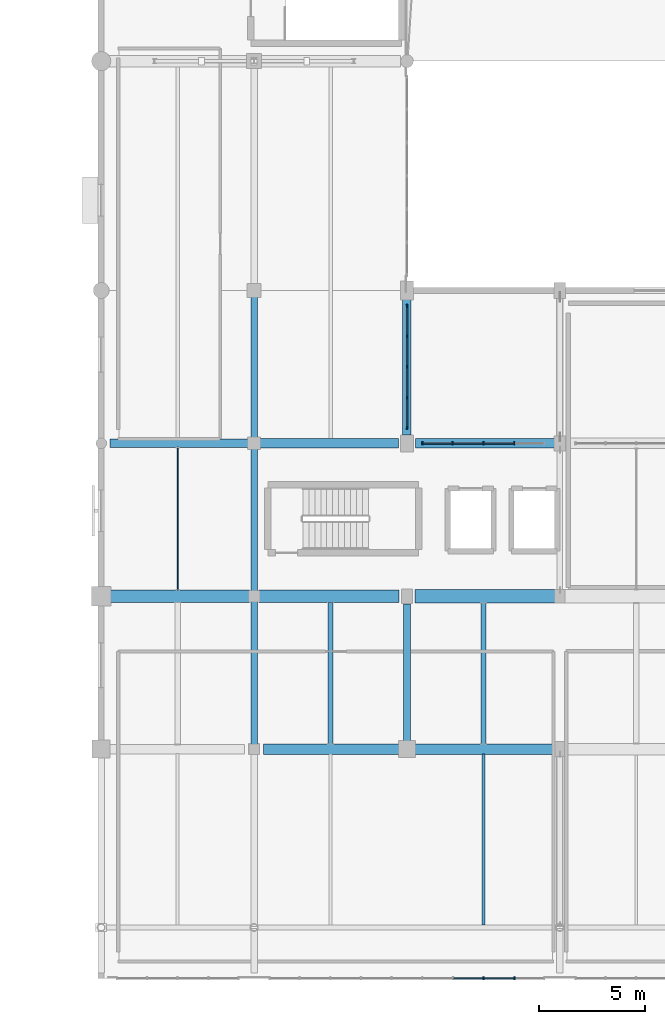
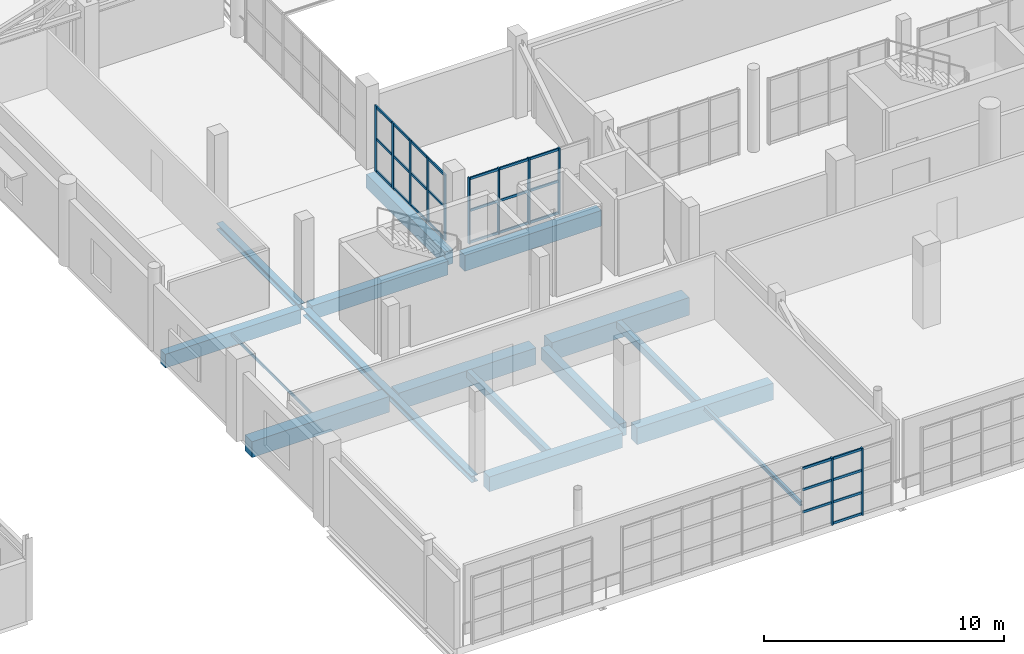
# One storey, part 24 of 90: 39 members, 16 beams, 3 elements without a shape of their own.
"""IFC4 building model written with IfcOpenShell, lengths in metres."""

import ifcopenshell
import ifcopenshell.guid

model = None  # the IFC model being written
_history = None  # IfcOwnerHistory: only IFC2X3 demands one
_inside = {}  # id of a spatial element -> (the spatial element, [elements in it])
_under = {}  # id of a project, library or spatial element -> (it, [spatial elements below it])
_declared = {}  # id of a project -> (the project, [libraries it declares])
_typed = {}  # id of a type object -> (the type object, [elements of that type])
_made_of = {}  # id of a material, layer set ... -> (it, [elements and type objects made of it])


def new_model(schema):
    """Start an empty IFC model of exactly this schema.

    Asked for "IFC4X3", IfcOpenShell would pick the latest addendum, in which some entities
    have other attributes; the version numbers below select the first issue.
    IFC2X3 requires an IfcOwnerHistory on every rooted entity: one is made here for all.
    """
    global model, _history
    if schema == "IFC4X3":
        model = ifcopenshell.file(schema_version=(4, 3, 0, 0))
    else:
        model = ifcopenshell.file(schema=schema)
    _inside.clear()
    _under.clear()
    _declared.clear()
    _typed.clear()
    _made_of.clear()
    _history = None
    if model.schema == "IFC2X3":
        org = make("IfcOrganization", Name="unknown")
        user = make(
            "IfcPersonAndOrganization",
            ThePerson=make("IfcPerson", FamilyName="unknown"),
            TheOrganization=org,
        )
        app = make(
            "IfcApplication",
            ApplicationDeveloper=org,
            Version="unknown",
            ApplicationFullName="unknown",
            ApplicationIdentifier="unknown",
        )
        _history = make(
            "IfcOwnerHistory",
            OwningUser=user,
            OwningApplication=app,
            ChangeAction="ADDED",
            CreationDate=0,
        )
    return model


def make(cls, **values):
    """One entity of the class cls with the attributes given. An attribute that is None is left unset."""
    return model.create_entity(
        cls, **{name: value for name, value in values.items() if value is not None}
    )


def rooted(cls, **values):
    """An entity with a GlobalId (a new one), such as an element, a storey or a relation."""
    return make(cls, GlobalId=ifcopenshell.guid.new(), OwnerHistory=_history, **values)


def si_unit(unit_type, name, prefix=None):
    """IfcSIUnit, for example si_unit("LENGTHUNIT", "METRE", prefix="MILLI")."""
    return make("IfcSIUnit", UnitType=unit_type, Prefix=prefix, Name=name)


def assignment(units):
    """IfcUnitAssignment: the units of a project."""
    return None if units is None else make("IfcUnitAssignment", Units=units)


def point(xyz):
    """IfcCartesianPoint."""
    return None if xyz is None else make("IfcCartesianPoint", Coordinates=xyz)


def direction(xyz):
    """IfcDirection."""
    return None if xyz is None else make("IfcDirection", DirectionRatios=xyz)


def frame(location, z_axis=None, x_axis=None):
    """IfcAxis2Placement3D, a coordinate frame: its origin and axes. An axis left out is left unset."""
    return make(
        "IfcAxis2Placement3D",
        Location=point(location),
        Axis=direction(z_axis),
        RefDirection=direction(x_axis),
    )


def frame_2d(location, x_axis=None):
    """IfcAxis2Placement2D, a coordinate frame in the plane: its origin and x axis."""
    return make(
        "IfcAxis2Placement2D", Location=point(location), RefDirection=direction(x_axis)
    )


def origin():
    """The frame at (0, 0, 0) with its axes left unset."""
    return frame((0.0, 0.0, 0.0))


def origin_2d():
    """The frame at (0, 0) in the plane with its x axis left unset."""
    return frame_2d((0.0, 0.0))


def place(relative_to, where):
    """IfcLocalPlacement: puts the frame where relative to a parent placement (None: the world)."""
    return make(
        "IfcLocalPlacement", PlacementRelTo=relative_to, RelativePlacement=where
    )


def context(
    kind, dimensions, precision=None, world=None, true_north=None, identifier=None
):
    """IfcGeometricRepresentationContext, for example the 3D "Model" context."""
    return make(
        "IfcGeometricRepresentationContext",
        ContextIdentifier=identifier,
        ContextType=kind,
        CoordinateSpaceDimension=dimensions,
        Precision=precision,
        WorldCoordinateSystem=world,
        TrueNorth=true_north,
    )


def subcontext(parent, identifier, kind, view, scale=None):
    """IfcGeometricRepresentationSubContext, for example "Body" below "Model"."""
    return make(
        "IfcGeometricRepresentationSubContext",
        ContextIdentifier=identifier,
        ContextType=kind,
        ParentContext=parent,
        TargetScale=scale,
        TargetView=view,
    )


def project(units=None, contexts=None):
    """IfcProject with its units and contexts."""
    return rooted(
        "IfcProject",
        Name="project",
        RepresentationContexts=contexts,
        UnitsInContext=assignment(units),
    )


def spatial(cls, under=None, at=None, **own):
    """A site, building, storey or space (cls), placed at a placement, below another one or the project."""
    s = rooted(cls, ObjectPlacement=at, **own)
    if under is not None:
        _under.setdefault(under.id(), (under, []))[1].append(s)
    return s


def profile(cls, at=None, kind="AREA", **sizes):
    """A parametric profile (cls). Its sizes go by their IFC names, for example OverallWidth=200.0."""
    return make(cls, ProfileType=kind, Position=at, **sizes)


def rectangle(**sizes):
    """IfcRectangleProfileDef."""
    return profile("IfcRectangleProfileDef", **sizes)


def hollow_rectangle(**sizes):
    """IfcRectangleHollowProfileDef."""
    return profile("IfcRectangleHollowProfileDef", **sizes)


def i_section(**sizes):
    """IfcIShapeProfileDef."""
    return profile("IfcIShapeProfileDef", **sizes)


def extrude(swept, where, along, depth):
    """IfcExtrudedAreaSolid: the profile swept, set in the frame where, extruded along a direction by depth."""
    return make(
        "IfcExtrudedAreaSolid",
        SweptArea=swept,
        Position=where,
        ExtrudedDirection=direction(along),
        Depth=depth,
    )


def shape(context_of_items, identifier, shape_type, items):
    """IfcShapeRepresentation: the items that make up one representation, for example the "Body"."""
    return make(
        "IfcShapeRepresentation",
        ContextOfItems=context_of_items,
        RepresentationIdentifier=identifier,
        RepresentationType=shape_type,
        Items=items,
    )


def material(Name=None, Category=None):
    """IfcMaterial."""
    return make("IfcMaterial", Name=Name, Category=Category)


def material_profile(
    of_material, cross_section, Name=None, Category=None, Priority=None
):
    """IfcMaterialProfile: a cross section and its material."""
    return make(
        "IfcMaterialProfile",
        Name=Name,
        Material=of_material,
        Profile=cross_section,
        Priority=Priority,
        Category=Category,
    )


def profile_set(profiles, Name=None, composite=None):
    """IfcMaterialProfileSet."""
    return make(
        "IfcMaterialProfileSet",
        Name=Name,
        MaterialProfiles=profiles,
        CompositeProfile=composite,
    )


def made_of(thing, what):
    """Note that an element or type object is made of a material, layer set ...; save() writes the relation."""
    if what is not None:
        _made_of.setdefault(what.id(), (what, []))[1].append(thing)
    return thing


def type_object(cls, material=None, **own):
    """A type object (cls), such as IfcWallType, which elements share."""
    return made_of(rooted(cls, **own), material)


def element(
    cls,
    number,
    at=None,
    inside=None,
    cuts=None,
    type_object=None,
    material=None,
    context=None,
    identifier="Body",
    shape_type=None,
    held_by="IfcProductDefinitionShape",
    body=None,
    shapes=None,
    **own,
):
    """One element of the class cls, such as IfcWall. Its Tag is "e" and its number.

    at: its placement. inside: the storey or other place that contains it. cuts: it is an
    opening in that element (IfcRelVoidsElement). A single representation is given by context,
    identifier, shape_type and body (its items); several are given by shapes. held_by: the class
    of the entity that holds the representations. save() writes the other relations.
    """
    e = rooted(cls, Tag="e%d" % number, ObjectPlacement=at, **own)
    if body is not None:
        shapes = [shape(context, identifier, shape_type, body)]
    if shapes is not None:
        e.Representation = make(held_by, Representations=shapes)
    if inside is not None:
        _inside.setdefault(inside.id(), (inside, []))[1].append(e)
    if cuts is not None:
        rooted(
            "IfcRelVoidsElement", RelatingBuildingElement=cuts, RelatedOpeningElement=e
        )
    if type_object is not None:
        _typed.setdefault(type_object.id(), (type_object, []))[1].append(e)
    return made_of(e, material)


def aggregate(whole, parts):
    """IfcRelAggregates: a whole, such as a stair, and the parts it consists of."""
    return rooted("IfcRelAggregates", RelatingObject=whole, RelatedObjects=parts)


def save(model, path):
    """Write the relations noted so far, then the file.

    IfcRelAggregates (storeys below a building ...), IfcRelContainedInSpatialStructure (elements
    in a storey), IfcRelDefinesByType, IfcRelAssociatesMaterial and IfcRelDeclares: one each for
    every whole, place, type object, material and project.
    """
    for whole, parts in _under.values():
        aggregate(whole, parts)
    for where, things in _inside.values():
        rooted(
            "IfcRelContainedInSpatialStructure",
            RelatedElements=things,
            RelatingStructure=where,
        )
    for kind, things in _typed.values():
        rooted("IfcRelDefinesByType", RelatedObjects=things, RelatingType=kind)
    for what, things in _made_of.values():
        rooted("IfcRelAssociatesMaterial", RelatedObjects=things, RelatingMaterial=what)
    for by, libraries in _declared.values():
        rooted("IfcRelDeclares", RelatingContext=by, RelatedDefinitions=libraries)
    model.write(path)


model = new_model("IFC4")

# Units and contexts
model_context = context("Model", 3, precision=1e-05, world=origin(), true_north=direction((0.0, 1.0)))
body_context = subcontext(model_context, "Body", "Model", "MODEL_VIEW")
ifc_project = project(units=[si_unit("LENGTHUNIT", "METRE"), si_unit("AREAUNIT", "SQUARE_METRE"), si_unit("VOLUMEUNIT", "CUBIC_METRE"), si_unit("PLANEANGLEUNIT", "RADIAN"), si_unit("MASSUNIT", "GRAM", prefix="KILO")], contexts=[model_context])

# Site, building, storey
site_placement = place(None, origin())
site = spatial("IfcSite", under=ifc_project, at=site_placement, CompositionType="ELEMENT")
building_placement = place(site_placement, origin())
building = spatial("IfcBuilding", under=site, at=building_placement, Name="Solanera Park Tramway Depot", CompositionType="ELEMENT")
storey_placement = place(building_placement, frame((0.0, 0.0, 9.0)))
storey = spatial("IfcBuildingStorey", under=building, at=storey_placement, Name="L02", CompositionType="ELEMENT", Elevation=9.0)

# Curtain wall, members
ifc_material_1 = material(Name="Bronze-anodised thermally broken aluminium curtain wall", Category="aluminium")
curtain_wall_type_1 = type_object("IfcCurtainWallType", Name="Courtyard Cloister Unitised Curtain Wall", PredefinedType="NOTDEFINED", material=ifc_material_1)
curtain_wall_1_placement = place(storey_placement, origin())
curtain_wall_1 = element("IfcCurtainWall", 1, at=curtain_wall_1_placement, inside=storey, type_object=curtain_wall_type_1, Name="L02 Courtyard Cloister Unitised Curtain Wall #104", PredefinedType="NOTDEFINED")
ifc_material_2 = material(Name="Bronze-anodised structural aluminium 6063-T6", Category="aluminium")
ifc_material_profile_1 = material_profile(ifc_material_2, rectangle(XDim=0.06494140625, YDim=0.14990234375, at=origin_2d()), Name="Curtain Wall Mullion 65x150")
ifc_profile_set_1 = profile_set([ifc_material_profile_1], Name="Bronze-anodised structural aluminium 6063-T6")
member_type_1 = type_object("IfcMemberType", Name="Curtain Wall Mullion 65x150", PredefinedType="MULLION", material=ifc_profile_set_1)
member_1_placement = place(storey_placement, frame((123.132568359375, 25.199951171875, 0.0), z_axis=(0.0, 0.0, 1.0), x_axis=(1.0, 0.0, 0.0)))
member_1 = element("IfcMember", 2, at=member_1_placement, type_object=member_type_1, Name="CW-L02-104 Mullion 1", PredefinedType="MULLION", context=body_context, shape_type="SweptSolid", body=[
    extrude(rectangle(XDim=0.06494140625, YDim=0.14990234375, at=origin_2d()), origin(), (0.0, 0.0, 1.0), 3.35009765625),
])
member_2_placement = place(storey_placement, frame((124.550048828125, 25.199951171875, 0.0), z_axis=(0.0, 0.0, 1.0), x_axis=(1.0, 0.0, 0.0)))
member_2 = element("IfcMember", 3, at=member_2_placement, type_object=member_type_1, Name="CW-L02-104 Mullion 2", PredefinedType="MULLION", context=body_context, shape_type="SweptSolid", body=[
    extrude(rectangle(XDim=0.06494140625, YDim=0.14990234375, at=origin_2d()), origin(), (0.0, 0.0, 1.0), 3.35009765625),
])
member_3_placement = place(storey_placement, frame((126.0, 25.199951171875, 0.0), z_axis=(0.0, 0.0, 1.0), x_axis=(1.0, 0.0, 0.0)))
member_3 = element("IfcMember", 4, at=member_3_placement, type_object=member_type_1, Name="CW-L02-104 Mullion 3", PredefinedType="MULLION", context=body_context, shape_type="SweptSolid", body=[
    extrude(rectangle(XDim=0.06494140625, YDim=0.14990234375, at=origin_2d()), origin(), (0.0, 0.0, 1.0), 3.35009765625),
])
member_4_placement = place(storey_placement, frame((127.449951171875, 25.199951171875, 0.0), z_axis=(0.0, 0.0, 1.0), x_axis=(1.0, 0.0, 0.0)))
member_4 = element("IfcMember", 5, at=member_4_placement, type_object=member_type_1, Name="CW-L02-104 Mullion 4", PredefinedType="MULLION", context=body_context, shape_type="SweptSolid", body=[
    extrude(rectangle(XDim=0.06494140625, YDim=0.14990234375, at=origin_2d()), origin(), (0.0, 0.0, 1.0), 3.35009765625),
])

curtain_wall_2_placement = place(storey_placement, origin())
curtain_wall_2 = element("IfcCurtainWall", 6, at=curtain_wall_2_placement, inside=storey, type_object=curtain_wall_type_1, Name="L02 Courtyard Cloister Unitised Curtain Wall #110", PredefinedType="NOTDEFINED")
member_5_placement = place(storey_placement, frame((122.39990234375, 25.9326171875, 0.0), z_axis=(0.0, 0.0, 1.0), x_axis=(1.0, 0.0, 0.0)))
member_5 = element("IfcMember", 7, at=member_5_placement, type_object=member_type_1, Name="CW-L02-110 Mullion 1", PredefinedType="MULLION", context=body_context, shape_type="SweptSolid", body=[
    extrude(rectangle(XDim=0.06494140625, YDim=0.14990234375, at=origin_2d()), origin(), (0.0, 0.0, 1.0), 3.35009765625),
])
member_6_placement = place(storey_placement, frame((122.39990234375, 27.35009765625, 0.0), z_axis=(0.0, 0.0, 1.0), x_axis=(1.0, 0.0, 0.0)))
member_6 = element("IfcMember", 8, at=member_6_placement, type_object=member_type_1, Name="CW-L02-110 Mullion 2", PredefinedType="MULLION", context=body_context, shape_type="SweptSolid", body=[
    extrude(rectangle(XDim=0.06494140625, YDim=0.14990234375, at=origin_2d()), origin(), (0.0, 0.0, 1.0), 3.35009765625),
])
member_7_placement = place(storey_placement, frame((122.39990234375, 28.800048828125, 0.0), z_axis=(0.0, 0.0, 1.0), x_axis=(1.0, 0.0, 0.0)))
member_7 = element("IfcMember", 9, at=member_7_placement, type_object=member_type_1, Name="CW-L02-110 Mullion 3", PredefinedType="MULLION", context=body_context, shape_type="SweptSolid", body=[
    extrude(rectangle(XDim=0.06494140625, YDim=0.14990234375, at=origin_2d()), origin(), (0.0, 0.0, 1.0), 3.35009765625),
])
member_8_placement = place(storey_placement, frame((122.39990234375, 30.25, 0.0), z_axis=(0.0, 0.0, 1.0), x_axis=(1.0, 0.0, 0.0)))
member_8 = element("IfcMember", 10, at=member_8_placement, type_object=member_type_1, Name="CW-L02-110 Mullion 4", PredefinedType="MULLION", context=body_context, shape_type="SweptSolid", body=[
    extrude(rectangle(XDim=0.06494140625, YDim=0.14990234375, at=origin_2d()), origin(), (0.0, 0.0, 1.0), 3.35009765625),
])
member_9_placement = place(storey_placement, frame((122.39990234375, 31.66748046875, 0.0), z_axis=(0.0, 0.0, 1.0), x_axis=(1.0, 0.0, 0.0)))
member_9 = element("IfcMember", 11, at=member_9_placement, type_object=member_type_1, Name="CW-L02-110 Mullion 5", PredefinedType="MULLION", context=body_context, shape_type="SweptSolid", body=[
    extrude(rectangle(XDim=0.06494140625, YDim=0.14990234375, at=origin_2d()), origin(), (0.0, 0.0, 1.0), 3.35009765625),
])

ifc_material_3 = material(Name="Bronze-anodised thermally broken aluminium curtain wall", Category="aluminium")
curtain_wall_type_2 = type_object("IfcCurtainWallType", Name="Cantilevered OCC Inclined Glazing Wall", PredefinedType="NOTDEFINED", material=ifc_material_3)
curtain_wall_3_placement = place(storey_placement, origin())
curtain_wall_3 = element("IfcCurtainWall", 12, at=curtain_wall_3_placement, inside=storey, type_object=curtain_wall_type_2, Name="L02 Cantilevered OCC Inclined Glazing Wall #115", PredefinedType="NOTDEFINED")
member_10_placement = place(storey_placement, frame((126.010986328125, 0.0, 0.0), z_axis=(0.0, 0.0, 1.0), x_axis=(1.0, 0.0, 0.0)))
member_10 = element("IfcMember", 13, at=member_10_placement, type_object=member_type_1, Name="CW-L02-115 Mullion 8", PredefinedType="MULLION", context=body_context, shape_type="SweptSolid", body=[
    extrude(rectangle(XDim=0.06494140625, YDim=0.14990234375, at=origin_2d()), origin(), (0.0, 0.0, 1.0), 3.39990234375),
])
member_11_placement = place(storey_placement, frame((127.45556640625, 0.0, 0.0), z_axis=(0.0, 0.0, 1.0), x_axis=(1.0, 0.0, 0.0)))
member_11 = element("IfcMember", 14, at=member_11_placement, type_object=member_type_1, Name="CW-L02-115 Mullion 9", PredefinedType="MULLION", context=body_context, shape_type="SweptSolid", body=[
    extrude(rectangle(XDim=0.06494140625, YDim=0.14990234375, at=origin_2d()), origin(), (0.0, 0.0, 1.0), 3.39990234375),
])

# Member
ifc_material_4 = material(Name="Bronze-anodised structural aluminium 6063-T6", Category="aluminium")
ifc_material_profile_2 = material_profile(ifc_material_4, rectangle(XDim=0.06494140625, YDim=0.1201171875, at=origin_2d()), Name="Curtain Wall Transom 65x120")
ifc_profile_set_2 = profile_set([ifc_material_profile_2], Name="Bronze-anodised structural aluminium 6063-T6")
member_type_2 = type_object("IfcMemberType", Name="Curtain Wall Transom 65x120", PredefinedType="USERDEFINED", material=ifc_profile_set_2)
member_12_placement = place(storey_placement, frame((123.160400390625, 25.199951171875, 0.06005859375), z_axis=(1.0, 0.0, 0.0), x_axis=(0.0, 1.0, 0.0)))
member_12 = element("IfcMember", 15, at=member_12_placement, type_object=member_type_2, Name="CW-L02-104 Transom R1.C1", ObjectType="TRANSOM", PredefinedType="USERDEFINED", context=body_context, shape_type="SweptSolid", body=[
    extrude(rectangle(XDim=0.06494140625, YDim=0.1201171875, at=origin_2d()), origin(), (0.0, 0.0, 1.0), 1.361572265625),
])

member_13_placement = place(storey_placement, frame((124.577880859375, 25.199951171875, 0.06005859375), z_axis=(1.0, 0.0, 0.0), x_axis=(0.0, 1.0, 0.0)))
member_13 = element("IfcMember", 16, at=member_13_placement, type_object=member_type_2, Name="CW-L02-104 Transom R1.C2", ObjectType="TRANSOM", PredefinedType="USERDEFINED", context=body_context, shape_type="SweptSolid", body=[
    extrude(rectangle(XDim=0.06494140625, YDim=0.1201171875, at=origin_2d()), origin(), (0.0, 0.0, 1.0), 1.39404296875),
])

member_14_placement = place(storey_placement, frame((126.028076171875, 25.199951171875, 0.06005859375), z_axis=(1.0, 0.0, 0.0), x_axis=(0.0, 1.0, 0.0)))
member_14 = element("IfcMember", 17, at=member_14_placement, type_object=member_type_2, Name="CW-L02-104 Transom R1.C3", ObjectType="TRANSOM", PredefinedType="USERDEFINED", context=body_context, shape_type="SweptSolid", body=[
    extrude(rectangle(XDim=0.06494140625, YDim=0.1201171875, at=origin_2d()), origin(), (0.0, 0.0, 1.0), 1.39404296875),
])

member_15_placement = place(storey_placement, frame((123.160400390625, 25.199951171875, 1.675048828125), z_axis=(1.0, 0.0, 0.0), x_axis=(0.0, 1.0, 0.0)))
member_15 = element("IfcMember", 18, at=member_15_placement, type_object=member_type_2, Name="CW-L02-104 Transom R2.C1", ObjectType="TRANSOM", PredefinedType="USERDEFINED", context=body_context, shape_type="SweptSolid", body=[
    extrude(rectangle(XDim=0.06494140625, YDim=0.1201171875, at=origin_2d()), origin(), (0.0, 0.0, 1.0), 1.361572265625),
])

member_16_placement = place(storey_placement, frame((124.577880859375, 25.199951171875, 1.675048828125), z_axis=(1.0, 0.0, 0.0), x_axis=(0.0, 1.0, 0.0)))
member_16 = element("IfcMember", 19, at=member_16_placement, type_object=member_type_2, Name="CW-L02-104 Transom R2.C2", ObjectType="TRANSOM", PredefinedType="USERDEFINED", context=body_context, shape_type="SweptSolid", body=[
    extrude(rectangle(XDim=0.06494140625, YDim=0.1201171875, at=origin_2d()), origin(), (0.0, 0.0, 1.0), 1.39404296875),
])

member_17_placement = place(storey_placement, frame((126.028076171875, 25.199951171875, 1.675048828125), z_axis=(1.0, 0.0, 0.0), x_axis=(0.0, 1.0, 0.0)))
member_17 = element("IfcMember", 20, at=member_17_placement, type_object=member_type_2, Name="CW-L02-104 Transom R2.C3", ObjectType="TRANSOM", PredefinedType="USERDEFINED", context=body_context, shape_type="SweptSolid", body=[
    extrude(rectangle(XDim=0.06494140625, YDim=0.1201171875, at=origin_2d()), origin(), (0.0, 0.0, 1.0), 1.39404296875),
])

member_18_placement = place(storey_placement, frame((123.160400390625, 25.199951171875, 3.2900390625), z_axis=(1.0, 0.0, 0.0), x_axis=(0.0, 1.0, 0.0)))
member_18 = element("IfcMember", 21, at=member_18_placement, type_object=member_type_2, Name="CW-L02-104 Transom R3.C1", ObjectType="TRANSOM", PredefinedType="USERDEFINED", context=body_context, shape_type="SweptSolid", body=[
    extrude(rectangle(XDim=0.06494140625, YDim=0.1201171875, at=origin_2d()), origin(), (0.0, 0.0, 1.0), 1.361572265625),
])

member_19_placement = place(storey_placement, frame((124.577880859375, 25.199951171875, 3.2900390625), z_axis=(1.0, 0.0, 0.0), x_axis=(0.0, 1.0, 0.0)))
member_19 = element("IfcMember", 22, at=member_19_placement, type_object=member_type_2, Name="CW-L02-104 Transom R3.C2", ObjectType="TRANSOM", PredefinedType="USERDEFINED", context=body_context, shape_type="SweptSolid", body=[
    extrude(rectangle(XDim=0.06494140625, YDim=0.1201171875, at=origin_2d()), origin(), (0.0, 0.0, 1.0), 1.39404296875),
])

member_20_placement = place(storey_placement, frame((126.028076171875, 25.199951171875, 3.2900390625), z_axis=(1.0, 0.0, 0.0), x_axis=(0.0, 1.0, 0.0)))
member_20 = element("IfcMember", 23, at=member_20_placement, type_object=member_type_2, Name="CW-L02-104 Transom R3.C3", ObjectType="TRANSOM", PredefinedType="USERDEFINED", context=body_context, shape_type="SweptSolid", body=[
    extrude(rectangle(XDim=0.06494140625, YDim=0.1201171875, at=origin_2d()), origin(), (0.0, 0.0, 1.0), 1.39404296875),
])

aggregate(curtain_wall_1, [member_1, member_2, member_3, member_4, member_12, member_13, member_14, member_15, member_16, member_17, member_18, member_19, member_20])

member_21_placement = place(storey_placement, frame((122.39990234375, 25.96044921875, 0.06005859375), z_axis=(0.0, 1.0, 0.0), x_axis=(-1.0, 0.0, 0.0)))
member_21 = element("IfcMember", 24, at=member_21_placement, type_object=member_type_2, Name="CW-L02-110 Transom R1.C1", ObjectType="TRANSOM", PredefinedType="USERDEFINED", context=body_context, shape_type="SweptSolid", body=[
    extrude(rectangle(XDim=0.06494140625, YDim=0.1201171875, at=origin_2d()), origin(), (0.0, 0.0, 1.0), 1.361572265625),
])

member_22_placement = place(storey_placement, frame((122.39990234375, 27.3779296875, 0.06005859375), z_axis=(0.0, 1.0, 0.0), x_axis=(-1.0, 0.0, 0.0)))
member_22 = element("IfcMember", 25, at=member_22_placement, type_object=member_type_2, Name="CW-L02-110 Transom R1.C2", ObjectType="TRANSOM", PredefinedType="USERDEFINED", context=body_context, shape_type="SweptSolid", body=[
    extrude(rectangle(XDim=0.06494140625, YDim=0.1201171875, at=origin_2d()), origin(), (0.0, 0.0, 1.0), 1.39404296875),
])

member_23_placement = place(storey_placement, frame((122.39990234375, 28.827880859375, 0.06005859375), z_axis=(0.0, 1.0, 0.0), x_axis=(-1.0, 0.0, 0.0)))
member_23 = element("IfcMember", 26, at=member_23_placement, type_object=member_type_2, Name="CW-L02-110 Transom R1.C3", ObjectType="TRANSOM", PredefinedType="USERDEFINED", context=body_context, shape_type="SweptSolid", body=[
    extrude(rectangle(XDim=0.06494140625, YDim=0.1201171875, at=origin_2d()), origin(), (0.0, 0.0, 1.0), 1.39404296875),
])

member_24_placement = place(storey_placement, frame((122.39990234375, 30.278076171875, 0.06005859375), z_axis=(0.0, 1.0, 0.0), x_axis=(-1.0, 0.0, 0.0)))
member_24 = element("IfcMember", 27, at=member_24_placement, type_object=member_type_2, Name="CW-L02-110 Transom R1.C4", ObjectType="TRANSOM", PredefinedType="USERDEFINED", context=body_context, shape_type="SweptSolid", body=[
    extrude(rectangle(XDim=0.06494140625, YDim=0.1201171875, at=origin_2d()), origin(), (0.0, 0.0, 1.0), 1.361328125),
])

member_25_placement = place(storey_placement, frame((122.39990234375, 25.96044921875, 1.675048828125), z_axis=(0.0, 1.0, 0.0), x_axis=(-1.0, 0.0, 0.0)))
member_25 = element("IfcMember", 28, at=member_25_placement, type_object=member_type_2, Name="CW-L02-110 Transom R2.C1", ObjectType="TRANSOM", PredefinedType="USERDEFINED", context=body_context, shape_type="SweptSolid", body=[
    extrude(rectangle(XDim=0.06494140625, YDim=0.1201171875, at=origin_2d()), origin(), (0.0, 0.0, 1.0), 1.361572265625),
])

member_26_placement = place(storey_placement, frame((122.39990234375, 27.3779296875, 1.675048828125), z_axis=(0.0, 1.0, 0.0), x_axis=(-1.0, 0.0, 0.0)))
member_26 = element("IfcMember", 29, at=member_26_placement, type_object=member_type_2, Name="CW-L02-110 Transom R2.C2", ObjectType="TRANSOM", PredefinedType="USERDEFINED", context=body_context, shape_type="SweptSolid", body=[
    extrude(rectangle(XDim=0.06494140625, YDim=0.1201171875, at=origin_2d()), origin(), (0.0, 0.0, 1.0), 1.39404296875),
])

member_27_placement = place(storey_placement, frame((122.39990234375, 28.827880859375, 1.675048828125), z_axis=(0.0, 1.0, 0.0), x_axis=(-1.0, 0.0, 0.0)))
member_27 = element("IfcMember", 30, at=member_27_placement, type_object=member_type_2, Name="CW-L02-110 Transom R2.C3", ObjectType="TRANSOM", PredefinedType="USERDEFINED", context=body_context, shape_type="SweptSolid", body=[
    extrude(rectangle(XDim=0.06494140625, YDim=0.1201171875, at=origin_2d()), origin(), (0.0, 0.0, 1.0), 1.39404296875),
])

member_28_placement = place(storey_placement, frame((122.39990234375, 30.278076171875, 1.675048828125), z_axis=(0.0, 1.0, 0.0), x_axis=(-1.0, 0.0, 0.0)))
member_28 = element("IfcMember", 31, at=member_28_placement, type_object=member_type_2, Name="CW-L02-110 Transom R2.C4", ObjectType="TRANSOM", PredefinedType="USERDEFINED", context=body_context, shape_type="SweptSolid", body=[
    extrude(rectangle(XDim=0.06494140625, YDim=0.1201171875, at=origin_2d()), origin(), (0.0, 0.0, 1.0), 1.361328125),
])

member_29_placement = place(storey_placement, frame((122.39990234375, 25.96044921875, 3.2900390625), z_axis=(0.0, 1.0, 0.0), x_axis=(-1.0, 0.0, 0.0)))
member_29 = element("IfcMember", 32, at=member_29_placement, type_object=member_type_2, Name="CW-L02-110 Transom R3.C1", ObjectType="TRANSOM", PredefinedType="USERDEFINED", context=body_context, shape_type="SweptSolid", body=[
    extrude(rectangle(XDim=0.06494140625, YDim=0.1201171875, at=origin_2d()), origin(), (0.0, 0.0, 1.0), 1.361572265625),
])

member_30_placement = place(storey_placement, frame((122.39990234375, 27.3779296875, 3.2900390625), z_axis=(0.0, 1.0, 0.0), x_axis=(-1.0, 0.0, 0.0)))
member_30 = element("IfcMember", 33, at=member_30_placement, type_object=member_type_2, Name="CW-L02-110 Transom R3.C2", ObjectType="TRANSOM", PredefinedType="USERDEFINED", context=body_context, shape_type="SweptSolid", body=[
    extrude(rectangle(XDim=0.06494140625, YDim=0.1201171875, at=origin_2d()), origin(), (0.0, 0.0, 1.0), 1.39404296875),
])

member_31_placement = place(storey_placement, frame((122.39990234375, 28.827880859375, 3.2900390625), z_axis=(0.0, 1.0, 0.0), x_axis=(-1.0, 0.0, 0.0)))
member_31 = element("IfcMember", 34, at=member_31_placement, type_object=member_type_2, Name="CW-L02-110 Transom R3.C3", ObjectType="TRANSOM", PredefinedType="USERDEFINED", context=body_context, shape_type="SweptSolid", body=[
    extrude(rectangle(XDim=0.06494140625, YDim=0.1201171875, at=origin_2d()), origin(), (0.0, 0.0, 1.0), 1.39404296875),
])

member_32_placement = place(storey_placement, frame((122.39990234375, 30.278076171875, 3.2900390625), z_axis=(0.0, 1.0, 0.0), x_axis=(-1.0, 0.0, 0.0)))
member_32 = element("IfcMember", 35, at=member_32_placement, type_object=member_type_2, Name="CW-L02-110 Transom R3.C4", ObjectType="TRANSOM", PredefinedType="USERDEFINED", context=body_context, shape_type="SweptSolid", body=[
    extrude(rectangle(XDim=0.06494140625, YDim=0.1201171875, at=origin_2d()), origin(), (0.0, 0.0, 1.0), 1.361328125),
])

aggregate(curtain_wall_2, [member_5, member_6, member_7, member_8, member_9, member_21, member_22, member_23, member_24, member_25, member_26, member_27, member_28, member_29, member_30, member_31, member_32])

member_33_placement = place(storey_placement, frame((126.0390625, 0.0, 0.06005859375), z_axis=(1.0, 0.0, 0.0), x_axis=(0.0, 1.0, 0.0)))
member_33 = element("IfcMember", 36, at=member_33_placement, type_object=member_type_2, Name="CW-L02-115 Transom R1.C8", ObjectType="TRANSOM", PredefinedType="USERDEFINED", context=body_context, shape_type="SweptSolid", body=[
    extrude(rectangle(XDim=0.06494140625, YDim=0.1201171875, at=origin_2d()), origin(), (0.0, 0.0, 1.0), 1.388427734375),
])

member_34_placement = place(storey_placement, frame((124.5947265625, 0.0, 1.13330078125), z_axis=(1.0, 0.0, 0.0), x_axis=(0.0, 1.0, 0.0)))
member_34 = element("IfcMember", 37, at=member_34_placement, type_object=member_type_2, Name="CW-L02-115 Transom R2.C7", ObjectType="TRANSOM", PredefinedType="USERDEFINED", context=body_context, shape_type="SweptSolid", body=[
    extrude(rectangle(XDim=0.06494140625, YDim=0.1201171875, at=origin_2d()), origin(), (0.0, 0.0, 1.0), 1.388427734375),
])

member_35_placement = place(storey_placement, frame((126.0390625, 0.0, 1.13330078125), z_axis=(1.0, 0.0, 0.0), x_axis=(0.0, 1.0, 0.0)))
member_35 = element("IfcMember", 38, at=member_35_placement, type_object=member_type_2, Name="CW-L02-115 Transom R2.C8", ObjectType="TRANSOM", PredefinedType="USERDEFINED", context=body_context, shape_type="SweptSolid", body=[
    extrude(rectangle(XDim=0.06494140625, YDim=0.1201171875, at=origin_2d()), origin(), (0.0, 0.0, 1.0), 1.388427734375),
])

member_36_placement = place(storey_placement, frame((124.5947265625, 0.0, 2.2666015625), z_axis=(1.0, 0.0, 0.0), x_axis=(0.0, 1.0, 0.0)))
member_36 = element("IfcMember", 39, at=member_36_placement, type_object=member_type_2, Name="CW-L02-115 Transom R3.C7", ObjectType="TRANSOM", PredefinedType="USERDEFINED", context=body_context, shape_type="SweptSolid", body=[
    extrude(rectangle(XDim=0.06494140625, YDim=0.1201171875, at=origin_2d()), origin(), (0.0, 0.0, 1.0), 1.388427734375),
])

member_37_placement = place(storey_placement, frame((126.0390625, 0.0, 2.2666015625), z_axis=(1.0, 0.0, 0.0), x_axis=(0.0, 1.0, 0.0)))
member_37 = element("IfcMember", 40, at=member_37_placement, type_object=member_type_2, Name="CW-L02-115 Transom R3.C8", ObjectType="TRANSOM", PredefinedType="USERDEFINED", context=body_context, shape_type="SweptSolid", body=[
    extrude(rectangle(XDim=0.06494140625, YDim=0.1201171875, at=origin_2d()), origin(), (0.0, 0.0, 1.0), 1.388427734375),
])

member_38_placement = place(storey_placement, frame((124.5947265625, 0.0, 3.340087890625), z_axis=(1.0, 0.0, 0.0), x_axis=(0.0, 1.0, 0.0)))
member_38 = element("IfcMember", 41, at=member_38_placement, type_object=member_type_2, Name="CW-L02-115 Transom R4.C7", ObjectType="TRANSOM", PredefinedType="USERDEFINED", context=body_context, shape_type="SweptSolid", body=[
    extrude(rectangle(XDim=0.06494140625, YDim=0.1201171875, at=origin_2d()), origin(), (0.0, 0.0, 1.0), 1.388427734375),
])

member_39_placement = place(storey_placement, frame((126.0390625, 0.0, 3.340087890625), z_axis=(1.0, 0.0, 0.0), x_axis=(0.0, 1.0, 0.0)))
member_39 = element("IfcMember", 42, at=member_39_placement, type_object=member_type_2, Name="CW-L02-115 Transom R4.C8", ObjectType="TRANSOM", PredefinedType="USERDEFINED", context=body_context, shape_type="SweptSolid", body=[
    extrude(rectangle(XDim=0.06494140625, YDim=0.1201171875, at=origin_2d()), origin(), (0.0, 0.0, 1.0), 1.388427734375),
])

aggregate(curtain_wall_3, [member_10, member_11, member_33, member_34, member_35, member_36, member_37, member_38, member_39])

# Beams
ifc_material_5 = material(Name="Concrete N40 (C40/50)", Category="concrete")
ifc_material_profile_3 = material_profile(ifc_material_5, rectangle(XDim=0.35009765625, YDim=0.64990234375, at=origin_2d()), Name="RCB 350x650")
ifc_profile_set_3 = profile_set([ifc_material_profile_3], Name="Concrete N40 (C40/50)")
beam_type_1 = type_object("IfcBeamType", Name="RC Floor Beam RCB 350x650", PredefinedType="BEAM", material=ifc_profile_set_3)
beam_1_placement = place(storey_placement, frame((122.39990234375, 11.14990234375, -0.68896484375), z_axis=(0.0, 1.0, 0.0), x_axis=(-1.0, 0.0, 0.0)))
element("IfcBeam", 43, at=beam_1_placement, inside=storey, type_object=beam_type_1, Name="L02 Primary Y-Girder RCB 350x650 #0145", PredefinedType="BEAM", context=body_context, shape_type="SweptSolid", body=[
    extrude(rectangle(XDim=0.35009765625, YDim=0.64990234375, at=origin_2d()), origin(), (0.0, 0.0, 1.0), 6.47509765625),
])
ifc_material_6 = material(Name="Concrete N40 (C40/50)", Category="concrete")
ifc_material_profile_4 = material_profile(ifc_material_6, rectangle(XDim=0.39990234375, YDim=0.699951171875, at=origin_2d()), Name="RCB 400x700")
ifc_profile_set_4 = profile_set([ifc_material_profile_4], Name="Concrete N40 (C40/50)")
beam_type_2 = type_object("IfcBeamType", Name="RC Floor Beam RCB 400x700", PredefinedType="BEAM", material=ifc_profile_set_4)
beam_2_placement = place(storey_placement, frame((108.425048828125, 25.199951171875, -0.714111328125), z_axis=(1.0, 0.0, 0.0), x_axis=(0.0, 1.0, 0.0)))
element("IfcBeam", 44, at=beam_2_placement, inside=storey, type_object=beam_type_2, Name="L02 Primary X-Girder RCB 400x700 #0120", PredefinedType="BEAM", context=body_context, shape_type="SweptSolid", body=[
    extrude(rectangle(XDim=0.39990234375, YDim=0.699951171875, at=origin_2d()), origin(), (0.0, 0.0, 1.0), 6.52490234375),
])
beam_3_placement = place(storey_placement, frame((122.39990234375, 25.60009765625, -0.714111328125), z_axis=(0.0, 1.0, 0.0), x_axis=(-1.0, 0.0, 0.0)))
element("IfcBeam", 45, at=beam_3_placement, inside=storey, type_object=beam_type_2, Name="L02 Primary Y-Girder RCB 400x700 #0146", PredefinedType="BEAM", context=body_context, shape_type="SweptSolid", body=[
    extrude(rectangle(XDim=0.39990234375, YDim=0.699951171875, at=origin_2d()), origin(), (0.0, 0.0, 1.0), 6.5498046875),
])
ifc_material_7 = material(Name="Concrete N40 (C40/50)", Category="concrete")
ifc_material_profile_5 = material_profile(ifc_material_7, rectangle(XDim=0.449951171875, YDim=0.699951171875, at=origin_2d()), Name="RCB 450x700")
ifc_profile_set_5 = profile_set([ifc_material_profile_5], Name="Concrete N40 (C40/50)")
beam_type_3 = type_object("IfcBeamType", Name="RC Floor Beam RCB 450x700", PredefinedType="BEAM", material=ifc_profile_set_5)
beam_4_placement = place(storey_placement, frame((115.449951171875, 25.199951171875, -0.714111328125), z_axis=(1.0, 0.0, 0.0), x_axis=(0.0, 1.0, 0.0)))
element("IfcBeam", 46, at=beam_4_placement, inside=storey, type_object=beam_type_3, Name="L02 Primary X-Girder RCB 450x700 #0121", PredefinedType="BEAM", context=body_context, shape_type="SweptSolid", body=[
    extrude(rectangle(XDim=0.449951171875, YDim=0.699951171875, at=origin_2d()), origin(), (0.0, 0.0, 1.0), 6.550048828125),
])
ifc_material_8 = material(Name="Concrete N40 (C40/50)", Category="concrete")
ifc_material_profile_6 = material_profile(ifc_material_8, rectangle(XDim=0.449951171875, YDim=0.800048828125, at=origin_2d()), Name="RCB 450x800")
ifc_profile_set_6 = profile_set([ifc_material_profile_6], Name="Concrete N40 (C40/50)")
beam_type_4 = type_object("IfcBeamType", Name="RC Floor Beam RCB 450x800", PredefinedType="BEAM", material=ifc_profile_set_6)
beam_5_placement = place(storey_placement, frame((122.800048828125, 25.199951171875, -0.763916015625), z_axis=(1.0, 0.0, 0.0), x_axis=(0.0, 1.0, 0.0)))
element("IfcBeam", 47, at=beam_5_placement, inside=storey, type_object=beam_type_4, Name="L02 Primary X-Girder RCB 450x800 #0122", PredefinedType="BEAM", context=body_context, shape_type="SweptSolid", body=[
    extrude(rectangle(XDim=0.449951171875, YDim=0.800048828125, at=origin_2d()), origin(), (0.0, 0.0, 1.0), 6.574951171875),
])
ifc_material_9 = material(Name="Concrete N40 (C40/50)", Category="concrete")
ifc_material_profile_7 = material_profile(ifc_material_9, rectangle(XDim=0.5, YDim=0.75, at=origin_2d()), Name="RCB 500x750")
ifc_profile_set_7 = profile_set([ifc_material_profile_7], Name="Concrete N40 (C40/50)")
beam_type_5 = type_object("IfcBeamType", Name="RC Floor Beam RCB 500x750", PredefinedType="BEAM", material=ifc_profile_set_7)
beam_6_placement = place(storey_placement, frame((115.64990234375, 10.800048828125, -0.739013671875), z_axis=(1.0, 0.0, 0.0), x_axis=(0.0, 1.0, 0.0)))
element("IfcBeam", 48, at=beam_6_placement, inside=storey, type_object=beam_type_5, Name="L02 Primary X-Girder RCB 500x750 #0099", PredefinedType="BEAM", context=body_context, shape_type="SweptSolid", body=[
    extrude(rectangle(XDim=0.5, YDim=0.75, at=origin_2d()), origin(), (0.0, 0.0, 1.0), 6.400146484375),
])
ifc_material_10 = material(Name="Concrete N40 (C40/50)", Category="concrete")
ifc_material_profile_8 = material_profile(ifc_material_10, rectangle(XDim=0.5, YDim=0.85009765625, at=origin_2d()), Name="RCB 500x850")
ifc_profile_set_8 = profile_set([ifc_material_profile_8], Name="Concrete N40 (C40/50)")
beam_type_6 = type_object("IfcBeamType", Name="RC Floor Beam RCB 500x850", PredefinedType="BEAM", material=ifc_profile_set_8)
beam_7_placement = place(storey_placement, frame((122.75, 10.800048828125, -0.7890625), z_axis=(1.0, 0.0, 0.0), x_axis=(0.0, 1.0, 0.0)))
element("IfcBeam", 49, at=beam_7_placement, inside=storey, type_object=beam_type_6, Name="L02 Primary X-Girder RCB 500x850 #0100", PredefinedType="BEAM", context=body_context, shape_type="SweptSolid", body=[
    extrude(rectangle(XDim=0.5, YDim=0.85009765625, at=origin_2d()), origin(), (0.0, 0.0, 1.0), 6.550048828125),
])
ifc_material_11 = material(Name="Concrete N40 (C40/50)", Category="concrete")
ifc_material_profile_9 = material_profile(ifc_material_11, rectangle(XDim=0.60009765625, YDim=0.800048828125, at=origin_2d()), Name="RCB 600x800")
ifc_profile_set_9 = profile_set([ifc_material_profile_9], Name="Concrete N40 (C40/50)")
beam_type_7 = type_object("IfcBeamType", Name="RC Floor Beam RCB 600x800", PredefinedType="BEAM", material=ifc_profile_set_9)
beam_8_placement = place(storey_placement, frame((108.375, 18.0, -0.763916015625), z_axis=(1.0, 0.0, 0.0), x_axis=(0.0, 1.0, 0.0)))
element("IfcBeam", 50, at=beam_8_placement, inside=storey, type_object=beam_type_7, Name="L02 Primary X-Girder RCB 600x800 #0109", PredefinedType="BEAM", context=body_context, shape_type="SweptSolid", body=[
    extrude(rectangle(XDim=0.60009765625, YDim=0.800048828125, at=origin_2d()), origin(), (0.0, 0.0, 1.0), 6.60009765625),
])
ifc_material_12 = material(Name="Concrete N40 (C40/50)", Category="concrete")
ifc_material_profile_10 = material_profile(ifc_material_12, rectangle(XDim=0.60009765625, YDim=0.85009765625, at=origin_2d()), Name="RCB 600x850")
ifc_profile_set_10 = profile_set([ifc_material_profile_10], Name="Concrete N40 (C40/50)")
beam_type_8 = type_object("IfcBeamType", Name="RC Floor Beam RCB 600x850", PredefinedType="BEAM", material=ifc_profile_set_10)
beam_9_placement = place(storey_placement, frame((115.425048828125, 18.0, -0.7890625), z_axis=(1.0, 0.0, 0.0), x_axis=(0.0, 1.0, 0.0)))
element("IfcBeam", 51, at=beam_9_placement, inside=storey, type_object=beam_type_8, Name="L02 Primary X-Girder RCB 600x850 #0110", PredefinedType="BEAM", context=body_context, shape_type="SweptSolid", body=[
    extrude(rectangle(XDim=0.60009765625, YDim=0.85009765625, at=origin_2d()), origin(), (0.0, 0.0, 1.0), 6.599853515625),
])
ifc_material_13 = material(Name="Concrete N40 (C40/50)", Category="concrete")
ifc_material_profile_11 = material_profile(ifc_material_13, rectangle(XDim=0.64990234375, YDim=0.89990234375, at=origin_2d()), Name="RCB 650x900")
ifc_profile_set_11 = profile_set([ifc_material_profile_11], Name="Concrete N40 (C40/50)")
beam_type_9 = type_object("IfcBeamType", Name="RC Floor Beam RCB 650x900", PredefinedType="BEAM", material=ifc_profile_set_11)
beam_10_placement = place(storey_placement, frame((122.77490234375, 18.0, -0.81396484375), z_axis=(1.0, 0.0, 0.0), x_axis=(0.0, 1.0, 0.0)))
element("IfcBeam", 52, at=beam_10_placement, inside=storey, type_object=beam_type_9, Name="L02 Primary X-Girder RCB 650x900 #0111", PredefinedType="BEAM", context=body_context, shape_type="SweptSolid", body=[
    extrude(rectangle(XDim=0.64990234375, YDim=0.89990234375, at=origin_2d()), origin(), (0.0, 0.0, 1.0), 6.60009765625),
])
ifc_material_14 = material(Name="Steel AS/NZS 3679.1 Grade 350", Category="steel")
ifc_material_profile_12 = material_profile(ifc_material_14, i_section(OverallWidth=0.310546875, OverallDepth=0.3271484375, WebThickness=0.015625, FlangeThickness=0.02490234375, at=origin_2d()), Name="310UC158")
ifc_profile_set_12 = profile_set([ifc_material_profile_12], Name="Steel AS/NZS 3679.1 Grade 350")
beam_type_10 = type_object("IfcBeamType", Name="Steel Beam 310UC158", PredefinedType="BEAM", material=ifc_profile_set_12)
beam_11_placement = place(storey_placement, frame((115.199951171875, 10.97998046875, -0.550048828125), z_axis=(0.0, 1.0, 0.0), x_axis=(-1.0, 0.0, 0.0)))
element("IfcBeam", 53, at=beam_11_placement, inside=storey, type_object=beam_type_10, Name="L02 Transfer Truss Backspan Chord 310UC158 #0304", PredefinedType="BEAM", context=body_context, shape_type="SweptSolid", body=[
    extrude(i_section(OverallWidth=0.310546875, OverallDepth=0.3271484375, WebThickness=0.015625, FlangeThickness=0.02490234375, at=origin_2d()), origin(), (0.0, 0.0, 1.0), 14.0400390625),
])
beam_12_placement = place(storey_placement, frame((115.199951171875, 25.3798828125, -0.550048828125), z_axis=(0.0, 1.0, 0.0), x_axis=(-1.0, 0.0, 0.0)))
element("IfcBeam", 54, at=beam_12_placement, inside=storey, type_object=beam_type_10, Name="L02 Transfer Truss Backspan Chord 310UC158 #0305", PredefinedType="BEAM", context=body_context, shape_type="SweptSolid", body=[
    extrude(i_section(OverallWidth=0.310546875, OverallDepth=0.3271484375, WebThickness=0.015625, FlangeThickness=0.02490234375, at=origin_2d()), origin(), (0.0, 0.0, 1.0), 6.840087890625),
])
ifc_material_15 = material(Name="Steel AS/NZS 1163 Grade C350L0", Category="steel")
ifc_material_profile_13 = material_profile(ifc_material_15, hollow_rectangle(XDim=0.050048828125, YDim=0.14990234375, WallThickness=0.0048828125, at=origin_2d()), Name="150x50x5.0 RHS")
ifc_profile_set_13 = profile_set([ifc_material_profile_13], Name="Steel AS/NZS 1163 Grade C350L0")
beam_type_11 = type_object("IfcBeamType", Name="Steel Joist Purlin 150x50x5.0 RHS", PredefinedType="JOIST", material=ifc_profile_set_13)
beam_13_placement = place(storey_placement, frame((111.60009765625, 18.2919921875, -0.43896484375), z_axis=(0.0, 1.0, 0.0), x_axis=(-1.0, 0.0, 0.0)))
element("IfcBeam", 55, at=beam_13_placement, inside=storey, type_object=beam_type_11, Name="L02 Secondary Floor Joist 150x50x5.0 RHS #0182", PredefinedType="JOIST", context=body_context, shape_type="SweptSolid", body=[
    extrude(hollow_rectangle(XDim=0.050048828125, YDim=0.14990234375, WallThickness=0.0048828125, at=origin_2d()), origin(), (0.0, 0.0, 1.0), 6.716064453125),
])
ifc_material_16 = material(Name="Steel AS/NZS 3679.1 Grade 350", Category="steel")
ifc_material_profile_14 = material_profile(ifc_material_16, i_section(OverallWidth=0.13330078125, OverallDepth=0.203125, WebThickness=0.005859375, FlangeThickness=0.0078125, at=origin_2d()), Name="200UB25.4")
ifc_profile_set_14 = profile_set([ifc_material_profile_14], Name="Steel AS/NZS 3679.1 Grade 350")
beam_type_12 = type_object("IfcBeamType", Name="Steel Joist Purlin 200UB25.4", PredefinedType="JOIST", material=ifc_profile_set_14)
beam_14_placement = place(storey_placement, frame((126.0, 2.51708984375, -0.465576171875), z_axis=(0.0, 1.0, 0.0), x_axis=(-1.0, 0.0, 0.0)))
element("IfcBeam", 56, at=beam_14_placement, inside=storey, type_object=beam_type_12, Name="L02 Secondary Floor Joist 200UB25.4 #0162", PredefinedType="JOIST", context=body_context, shape_type="SweptSolid", body=[
    extrude(i_section(OverallWidth=0.13330078125, OverallDepth=0.203125, WebThickness=0.005859375, FlangeThickness=0.0078125, at=origin_2d()), origin(), (0.0, 0.0, 1.0), 8.041015625),
])
ifc_material_17 = material(Name="Steel AS/NZS 1163 Grade C350L0", Category="steel")
ifc_material_profile_15 = material_profile(ifc_material_17, hollow_rectangle(XDim=0.25, YDim=0.35009765625, WallThickness=0.010009765625, at=origin_2d()), Name="350x250x10.0 RHS")
ifc_profile_set_15 = profile_set([ifc_material_profile_15], Name="Steel AS/NZS 1163 Grade C350L0")
beam_type_13 = type_object("IfcBeamType", Name="Steel Joist Purlin 350x250x10.0 RHS", PredefinedType="JOIST", material=ifc_profile_set_15)
beam_15_placement = place(storey_placement, frame((118.800048828125, 11.0419921875, -0.5390625), z_axis=(0.0, 1.0, 0.0), x_axis=(-1.0, 0.0, 0.0)))
element("IfcBeam", 57, at=beam_15_placement, inside=storey, type_object=beam_type_13, Name="L02 Secondary Floor Joist 350x250x10.0 RHS #0172", PredefinedType="JOIST", context=body_context, shape_type="SweptSolid", body=[
    extrude(hollow_rectangle(XDim=0.25, YDim=0.35009765625, WallThickness=0.010009765625, at=origin_2d()), origin(), (0.0, 0.0, 1.0), 6.666015625),
])
beam_16_placement = place(storey_placement, frame((126.0, 11.0419921875, -0.5390625), z_axis=(0.0, 1.0, 0.0), x_axis=(-1.0, 0.0, 0.0)))
element("IfcBeam", 58, at=beam_16_placement, inside=storey, type_object=beam_type_13, Name="L02 Secondary Floor Joist 350x250x10.0 RHS #0173", PredefinedType="JOIST", context=body_context, shape_type="SweptSolid", body=[
    extrude(hollow_rectangle(XDim=0.25, YDim=0.35009765625, WallThickness=0.010009765625, at=origin_2d()), origin(), (0.0, 0.0, 1.0), 6.64111328125),
])

save(model, "model.ifc")
